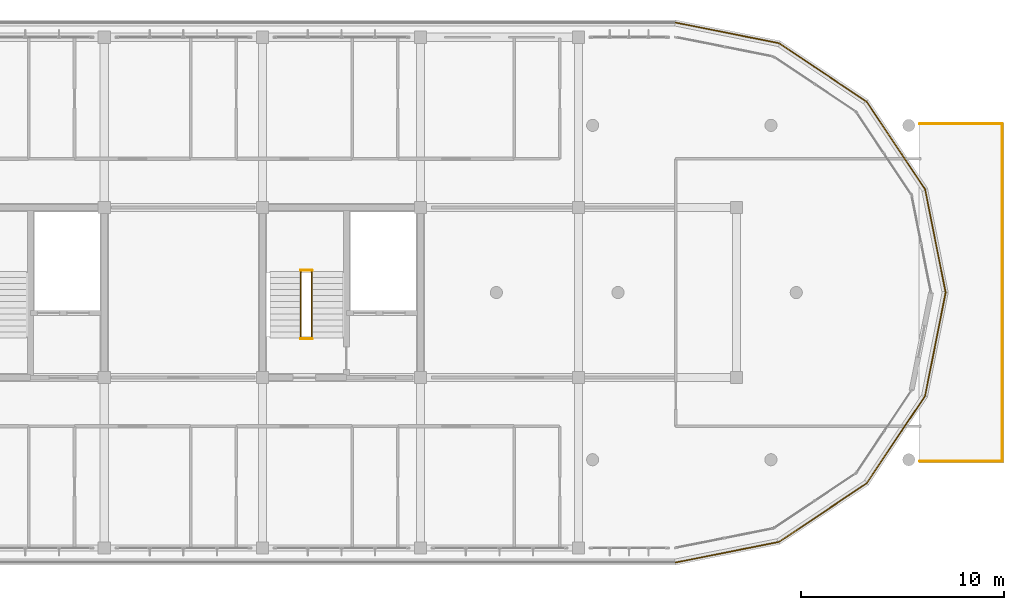
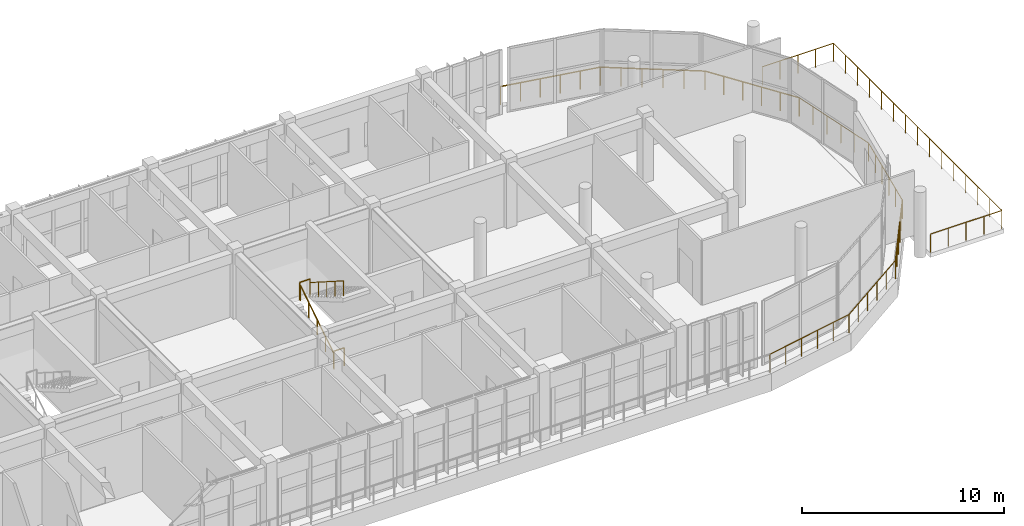
# One storey, part 56 of 56: 15 railings.
"""IFC4 building model written with IfcOpenShell, lengths in metres."""

from ifc_helpers import new_model, si_unit, direction, frame, origin, origin_2d, place, context, subcontext, project, spatial, circle, hollow_circle, extrude, material, material_profile, profile_set, type_object, element, save


model = new_model("IFC4")

# Units and contexts
model_context = context("Model", 3, precision=1e-05, world=origin(), true_north=direction((0.0, 1.0)))
body_context = subcontext(model_context, "Body", "Model", "MODEL_VIEW")
ifc_project = project(units=[si_unit("LENGTHUNIT", "METRE"), si_unit("AREAUNIT", "SQUARE_METRE"), si_unit("VOLUMEUNIT", "CUBIC_METRE"), si_unit("PLANEANGLEUNIT", "RADIAN"), si_unit("MASSUNIT", "GRAM", prefix="KILO")], contexts=[model_context])

# Site, building, storey
site_placement = place(None, origin())
site = spatial("IfcSite", under=ifc_project, at=site_placement, CompositionType="ELEMENT")
building_placement = place(site_placement, origin())
building = spatial("IfcBuilding", under=site, at=building_placement, Name="Zizhar Promenade General Hospital", CompositionType="ELEMENT")
storey_placement = place(building_placement, frame((0.0, 0.0, 26.39990234375)))
storey = spatial("IfcBuildingStorey", under=building, at=storey_placement, Name="L06", CompositionType="ELEMENT", Elevation=26.39990234375)

# Railings
ifc_material_1 = material(Name="Anodised aluminium 6063-T6", Category="aluminium")
ifc_material_profile_1 = material_profile(ifc_material_1, hollow_circle(Radius=0.06982421875, WallThickness=0.00634765625, at=origin_2d()))
ifc_profile_set_1 = profile_set([ifc_material_profile_1], Name="Anodised aluminium 6063-T6")
railing_type_1 = type_object("IfcRailingType", Name="RL-GUARD-TERR-1100", PredefinedType="GUARDRAIL", material=ifc_profile_set_1)
railing_1_placement = place(storey_placement, frame((114.0, -0.719970703125, 0.0)))
element("IfcRailing", 1, at=railing_1_placement, inside=storey, type_object=railing_type_1, Name="Perimeter Safety Guardrail L06-01", PredefinedType="GUARDRAIL", context=body_context, shape_type="SweptSolid", body=[
    extrude(circle(Radius=0.02392578125, at=origin_2d()), frame((0.0, 0.0, 1.09619140625), z_axis=(0.980786101187, 0.195086195614, 0.0), x_axis=(-0.195086195614, 0.980786101187, 0.0)), (0.0, 0.0, 1.0), 5.197265625),
    extrude(circle(Radius=0.02099609375, at=origin_2d()), origin(), (0.0, 0.0, 1.0), 1.072021484375),
    extrude(circle(Radius=0.02099609375, at=origin_2d()), frame((1.01953125, 0.202880859375, 0.0)), (0.0, 0.0, 1.0), 1.072021484375),
    extrude(circle(Radius=0.02099609375, at=origin_2d()), frame((2.0390625, 0.405517578125, 0.0)), (0.0, 0.0, 1.0), 1.072021484375),
    extrude(circle(Radius=0.02099609375, at=origin_2d()), frame((3.058349609375, 0.6083984375, 0.0)), (0.0, 0.0, 1.0), 1.072021484375),
    extrude(circle(Radius=0.02099609375, at=origin_2d()), frame((4.077880859375, 0.81103515625, 0.0)), (0.0, 0.0, 1.0), 1.072021484375),
    extrude(circle(Radius=0.02099609375, at=origin_2d()), frame((5.097412109375, 1.013916015625, 0.0)), (0.0, 0.0, 1.0), 1.072021484375),
])
railing_2_placement = place(storey_placement, frame((119.097412109375, 0.2939453125, 0.0)))
element("IfcRailing", 2, at=railing_2_placement, inside=storey, type_object=railing_type_1, Name="Perimeter Safety Guardrail L06-02", PredefinedType="GUARDRAIL", context=body_context, shape_type="SweptSolid", body=[
    extrude(circle(Radius=0.02392578125, at=origin_2d()), frame((0.0, 0.0, 1.09619140625), z_axis=(0.831464445352, 0.555577965829, 0.0), x_axis=(-0.555577965829, 0.831464445352, 0.0)), (0.0, 0.0, 1.0), 5.197265625),
    extrude(circle(Radius=0.02099609375, at=origin_2d()), origin(), (0.0, 0.0, 1.0), 1.072021484375),
    extrude(circle(Radius=0.02099609375, at=origin_2d()), frame((0.8642578125, 0.577392578125, 0.0)), (0.0, 0.0, 1.0), 1.072021484375),
    extrude(circle(Radius=0.02099609375, at=origin_2d()), frame((1.728515625, 1.155029296875, 0.0)), (0.0, 0.0, 1.0), 1.072021484375),
    extrude(circle(Radius=0.02099609375, at=origin_2d()), frame((2.5927734375, 1.732421875, 0.0)), (0.0, 0.0, 1.0), 1.072021484375),
    extrude(circle(Radius=0.02099609375, at=origin_2d()), frame((3.45703125, 2.31005859375, 0.0)), (0.0, 0.0, 1.0), 1.072021484375),
    extrude(circle(Radius=0.02099609375, at=origin_2d()), frame((4.3212890625, 2.887451171875, 0.0)), (0.0, 0.0, 1.0), 1.072021484375),
])
railing_3_placement = place(storey_placement, frame((123.418701171875, 3.181396484375, 0.0)))
element("IfcRailing", 3, at=railing_3_placement, inside=storey, type_object=railing_type_1, Name="Perimeter Safety Guardrail L06-03", PredefinedType="GUARDRAIL", context=body_context, shape_type="SweptSolid", body=[
    extrude(circle(Radius=0.02392578125, at=origin_2d()), frame((0.0, 0.0, 1.09619140625), z_axis=(0.555577965829, 0.831464445352, 0.0), x_axis=(-0.831464445352, 0.555577965829, 0.0)), (0.0, 0.0, 1.0), 5.197265625),
    extrude(circle(Radius=0.02099609375, at=origin_2d()), origin(), (0.0, 0.0, 1.0), 1.072021484375),
    extrude(circle(Radius=0.02099609375, at=origin_2d()), frame((0.577392578125, 0.8642578125, 0.0)), (0.0, 0.0, 1.0), 1.072021484375),
    extrude(circle(Radius=0.02099609375, at=origin_2d()), frame((1.155029296875, 1.728515625, 0.0)), (0.0, 0.0, 1.0), 1.072021484375),
    extrude(circle(Radius=0.02099609375, at=origin_2d()), frame((1.732421875, 2.5927734375, 0.0)), (0.0, 0.0, 1.0), 1.072021484375),
    extrude(circle(Radius=0.02099609375, at=origin_2d()), frame((2.31005859375, 3.45703125, 0.0)), (0.0, 0.0, 1.0), 1.072021484375),
    extrude(circle(Radius=0.02099609375, at=origin_2d()), frame((2.887451171875, 4.3212890625, 0.0)), (0.0, 0.0, 1.0), 1.072021484375),
])
railing_4_placement = place(storey_placement, frame((126.30615234375, 7.502685546875, 0.0)))
element("IfcRailing", 4, at=railing_4_placement, inside=storey, type_object=railing_type_1, Name="Perimeter Safety Guardrail L06-04", PredefinedType="GUARDRAIL", context=body_context, shape_type="SweptSolid", body=[
    extrude(circle(Radius=0.02392578125, at=origin_2d()), frame((0.0, 0.0, 1.09619140625), z_axis=(0.195086195614, 0.980786101187, 0.0), x_axis=(-0.980786101187, 0.195086195614, 0.0)), (0.0, 0.0, 1.0), 5.197265625),
    extrude(circle(Radius=0.02099609375, at=origin_2d()), origin(), (0.0, 0.0, 1.0), 1.072021484375),
    extrude(circle(Radius=0.02099609375, at=origin_2d()), frame((0.202880859375, 1.01953125, 0.0)), (0.0, 0.0, 1.0), 1.072021484375),
    extrude(circle(Radius=0.02099609375, at=origin_2d()), frame((0.405517578125, 2.0390625, 0.0)), (0.0, 0.0, 1.0), 1.072021484375),
    extrude(circle(Radius=0.02099609375, at=origin_2d()), frame((0.6083984375, 3.058349609375, 0.0)), (0.0, 0.0, 1.0), 1.072021484375),
    extrude(circle(Radius=0.02099609375, at=origin_2d()), frame((0.81103515625, 4.077880859375, 0.0)), (0.0, 0.0, 1.0), 1.072021484375),
    extrude(circle(Radius=0.02099609375, at=origin_2d()), frame((1.013916015625, 5.097412109375, 0.0)), (0.0, 0.0, 1.0), 1.072021484375),
])
railing_5_placement = place(storey_placement, frame((127.320068359375, 12.60009765625, 0.0)))
element("IfcRailing", 5, at=railing_5_placement, inside=storey, type_object=railing_type_1, Name="Perimeter Safety Guardrail L06-05", PredefinedType="GUARDRAIL", context=body_context, shape_type="SweptSolid", body=[
    extrude(circle(Radius=0.02392578125, at=origin_2d()), frame((0.0, 0.0, 1.09619140625), z_axis=(-0.195095184069, 0.980784313268, 0.0), x_axis=(-0.980784313268, -0.195095184069, 0.0)), (0.0, 0.0, 1.0), 5.197021484375),
    extrude(circle(Radius=0.02099609375, at=origin_2d()), origin(), (0.0, 0.0, 1.0), 1.072021484375),
    extrude(circle(Radius=0.02099609375, at=origin_2d()), frame((-0.202880859375, 1.01953125, 0.0)), (0.0, 0.0, 1.0), 1.072021484375),
    extrude(circle(Radius=0.02099609375, at=origin_2d()), frame((-0.405517578125, 2.038818359375, 0.0)), (0.0, 0.0, 1.0), 1.072021484375),
    extrude(circle(Radius=0.02099609375, at=origin_2d()), frame((-0.6083984375, 3.058349609375, 0.0)), (0.0, 0.0, 1.0), 1.072021484375),
    extrude(circle(Radius=0.02099609375, at=origin_2d()), frame((-0.81103515625, 4.07763671875, 0.0)), (0.0, 0.0, 1.0), 1.072021484375),
    extrude(circle(Radius=0.02099609375, at=origin_2d()), frame((-1.013916015625, 5.09716796875, 0.0)), (0.0, 0.0, 1.0), 1.072021484375),
])
railing_6_placement = place(storey_placement, frame((126.30615234375, 17.697265625, 0.0)))
element("IfcRailing", 6, at=railing_6_placement, inside=storey, type_object=railing_type_1, Name="Perimeter Safety Guardrail L06-06", PredefinedType="GUARDRAIL", context=body_context, shape_type="SweptSolid", body=[
    extrude(circle(Radius=0.02392578125, at=origin_2d()), frame((0.0, 0.0, 1.09619140625), z_axis=(-0.555556266519, 0.83147894425, 0.0), x_axis=(-0.83147894425, -0.555556266519, 0.0)), (0.0, 0.0, 1.0), 5.197509765625),
    extrude(circle(Radius=0.02099609375, at=origin_2d()), origin(), (0.0, 0.0, 1.0), 1.072021484375),
    extrude(circle(Radius=0.02099609375, at=origin_2d()), frame((-0.577392578125, 0.8642578125, 0.0)), (0.0, 0.0, 1.0), 1.072021484375),
    extrude(circle(Radius=0.02099609375, at=origin_2d()), frame((-1.155029296875, 1.728515625, 0.0)), (0.0, 0.0, 1.0), 1.072021484375),
    extrude(circle(Radius=0.02099609375, at=origin_2d()), frame((-1.732421875, 2.593017578125, 0.0)), (0.0, 0.0, 1.0), 1.072021484375),
    extrude(circle(Radius=0.02099609375, at=origin_2d()), frame((-2.31005859375, 3.457275390625, 0.0)), (0.0, 0.0, 1.0), 1.072021484375),
    extrude(circle(Radius=0.02099609375, at=origin_2d()), frame((-2.887451171875, 4.321533203125, 0.0)), (0.0, 0.0, 1.0), 1.072021484375),
])
railing_7_placement = place(storey_placement, frame((123.418701171875, 22.018798828125, 0.0)))
element("IfcRailing", 7, at=railing_7_placement, inside=storey, type_object=railing_type_1, Name="Perimeter Safety Guardrail L06-07", PredefinedType="GUARDRAIL", context=body_context, shape_type="SweptSolid", body=[
    extrude(circle(Radius=0.02392578125, at=origin_2d()), frame((0.0, 0.0, 1.09619140625), z_axis=(-0.831486145253, 0.555545488913, 0.0), x_axis=(-0.555545488913, -0.831486145253, 0.0)), (0.0, 0.0, 1.0), 5.197021484375),
    extrude(circle(Radius=0.02099609375, at=origin_2d()), origin(), (0.0, 0.0, 1.0), 1.072021484375),
    extrude(circle(Radius=0.02099609375, at=origin_2d()), frame((-0.8642578125, 0.577392578125, 0.0)), (0.0, 0.0, 1.0), 1.072021484375),
    extrude(circle(Radius=0.02099609375, at=origin_2d()), frame((-1.728515625, 1.15478515625, 0.0)), (0.0, 0.0, 1.0), 1.072021484375),
    extrude(circle(Radius=0.02099609375, at=origin_2d()), frame((-2.5927734375, 1.732421875, 0.0)), (0.0, 0.0, 1.0), 1.072021484375),
    extrude(circle(Radius=0.02099609375, at=origin_2d()), frame((-3.45703125, 2.309814453125, 0.0)), (0.0, 0.0, 1.0), 1.072021484375),
    extrude(circle(Radius=0.02099609375, at=origin_2d()), frame((-4.3212890625, 2.88720703125, 0.0)), (0.0, 0.0, 1.0), 1.072021484375),
])
railing_8_placement = place(storey_placement, frame((119.097412109375, 24.906005859375, 0.0)))
element("IfcRailing", 8, at=railing_8_placement, inside=storey, type_object=railing_type_1, Name="Perimeter Safety Guardrail L06-08", PredefinedType="GUARDRAIL", context=body_context, shape_type="SweptSolid", body=[
    extrude(circle(Radius=0.02392578125, at=origin_2d()), frame((0.0, 0.0, 1.09619140625), z_axis=(-0.980786101187, 0.195086195614, 0.0), x_axis=(-0.195086195614, -0.980786101187, 0.0)), (0.0, 0.0, 1.0), 5.197265625),
    extrude(circle(Radius=0.02099609375, at=origin_2d()), origin(), (0.0, 0.0, 1.0), 1.072021484375),
    extrude(circle(Radius=0.02099609375, at=origin_2d()), frame((-1.01953125, 0.202880859375, 0.0)), (0.0, 0.0, 1.0), 1.072021484375),
    extrude(circle(Radius=0.02099609375, at=origin_2d()), frame((-2.0390625, 0.405517578125, 0.0)), (0.0, 0.0, 1.0), 1.072021484375),
    extrude(circle(Radius=0.02099609375, at=origin_2d()), frame((-3.058349609375, 0.6083984375, 0.0)), (0.0, 0.0, 1.0), 1.072021484375),
    extrude(circle(Radius=0.02099609375, at=origin_2d()), frame((-4.077880859375, 0.81103515625, 0.0)), (0.0, 0.0, 1.0), 1.072021484375),
    extrude(circle(Radius=0.02099609375, at=origin_2d()), frame((-5.097412109375, 1.013916015625, 0.0)), (0.0, 0.0, 1.0), 1.072021484375),
])
railing_9_placement = place(storey_placement, frame((126.050048828125, 4.280029296875, 0.0)))
element("IfcRailing", 9, at=railing_9_placement, inside=storey, type_object=railing_type_1, Name="Perimeter Safety Guardrail L06-01", PredefinedType="GUARDRAIL", context=body_context, shape_type="SweptSolid", body=[
    extrude(circle(Radius=0.02392578125, at=origin_2d()), frame((0.0, 0.0, 1.09619140625), z_axis=(1.0, 0.0, 0.0), x_axis=(0.0, 1.0, 0.0)), (0.0, 0.0, 1.0), 4.070068359375),
    extrude(circle(Radius=0.02099609375, at=origin_2d()), origin(), (0.0, 0.0, 1.0), 1.072021484375),
    extrude(circle(Radius=0.02099609375, at=origin_2d()), frame((1.017578125, 0.0, 0.0)), (0.0, 0.0, 1.0), 1.072021484375),
    extrude(circle(Radius=0.02099609375, at=origin_2d()), frame((2.03515625, 0.0, 0.0)), (0.0, 0.0, 1.0), 1.072021484375),
    extrude(circle(Radius=0.02099609375, at=origin_2d()), frame((3.052490234375, 0.0, 0.0)), (0.0, 0.0, 1.0), 1.072021484375),
    extrude(circle(Radius=0.02099609375, at=origin_2d()), frame((4.070068359375, 0.0, 0.0)), (0.0, 0.0, 1.0), 1.072021484375),
])
railing_10_placement = place(storey_placement, frame((130.1201171875, 4.280029296875, 0.0)))
element("IfcRailing", 10, at=railing_10_placement, inside=storey, type_object=railing_type_1, Name="Perimeter Safety Guardrail L06-02", PredefinedType="GUARDRAIL", context=body_context, shape_type="SweptSolid", body=[
    extrude(circle(Radius=0.02392578125, at=origin_2d()), frame((0.0, 0.0, 1.09619140625), z_axis=(0.0, 1.0, 0.0), x_axis=(-1.0, 0.0, 0.0)), (0.0, 0.0, 1.0), 16.639892578125),
    extrude(circle(Radius=0.02099609375, at=origin_2d()), origin(), (0.0, 0.0, 1.0), 1.072021484375),
    extrude(circle(Radius=0.02099609375, at=origin_2d()), frame((0.0, 1.1884765625, 0.0)), (0.0, 0.0, 1.0), 1.072021484375),
    extrude(circle(Radius=0.02099609375, at=origin_2d()), frame((0.0, 2.377197265625, 0.0)), (0.0, 0.0, 1.0), 1.072021484375),
    extrude(circle(Radius=0.02099609375, at=origin_2d()), frame((0.0, 3.565673828125, 0.0)), (0.0, 0.0, 1.0), 1.072021484375),
    extrude(circle(Radius=0.02099609375, at=origin_2d()), frame((0.0, 4.754150390625, 0.0)), (0.0, 0.0, 1.0), 1.072021484375),
    extrude(circle(Radius=0.02099609375, at=origin_2d()), frame((0.0, 5.94287109375, 0.0)), (0.0, 0.0, 1.0), 1.072021484375),
    extrude(circle(Radius=0.02099609375, at=origin_2d()), frame((0.0, 7.13134765625, 0.0)), (0.0, 0.0, 1.0), 1.072021484375),
    extrude(circle(Radius=0.02099609375, at=origin_2d()), frame((0.0, 8.31982421875, 0.0)), (0.0, 0.0, 1.0), 1.072021484375),
    extrude(circle(Radius=0.02099609375, at=origin_2d()), frame((0.0, 9.508544921875, 0.0)), (0.0, 0.0, 1.0), 1.072021484375),
    extrude(circle(Radius=0.02099609375, at=origin_2d()), frame((0.0, 10.697021484375, 0.0)), (0.0, 0.0, 1.0), 1.072021484375),
    extrude(circle(Radius=0.02099609375, at=origin_2d()), frame((0.0, 11.8857421875, 0.0)), (0.0, 0.0, 1.0), 1.072021484375),
    extrude(circle(Radius=0.02099609375, at=origin_2d()), frame((0.0, 13.07421875, 0.0)), (0.0, 0.0, 1.0), 1.072021484375),
    extrude(circle(Radius=0.02099609375, at=origin_2d()), frame((0.0, 14.2626953125, 0.0)), (0.0, 0.0, 1.0), 1.072021484375),
    extrude(circle(Radius=0.02099609375, at=origin_2d()), frame((0.0, 15.451416015625, 0.0)), (0.0, 0.0, 1.0), 1.072021484375),
    extrude(circle(Radius=0.02099609375, at=origin_2d()), frame((0.0, 16.639892578125, 0.0)), (0.0, 0.0, 1.0), 1.072021484375),
])
railing_11_placement = place(storey_placement, frame((130.1201171875, 20.919921875, 0.0)))
element("IfcRailing", 11, at=railing_11_placement, inside=storey, type_object=railing_type_1, Name="Perimeter Safety Guardrail L06-03", PredefinedType="GUARDRAIL", context=body_context, shape_type="SweptSolid", body=[
    extrude(circle(Radius=0.02392578125, at=origin_2d()), frame((0.0, 0.0, 1.09619140625), z_axis=(-1.0, 0.0, 0.0), x_axis=(0.0, -1.0, 0.0)), (0.0, 0.0, 1.0), 4.070068359375),
    extrude(circle(Radius=0.02099609375, at=origin_2d()), origin(), (0.0, 0.0, 1.0), 1.072021484375),
    extrude(circle(Radius=0.02099609375, at=origin_2d()), frame((-1.017578125, 0.0, 0.0)), (0.0, 0.0, 1.0), 1.072021484375),
    extrude(circle(Radius=0.02099609375, at=origin_2d()), frame((-2.03515625, 0.0, 0.0)), (0.0, 0.0, 1.0), 1.072021484375),
    extrude(circle(Radius=0.02099609375, at=origin_2d()), frame((-3.052490234375, 0.0, 0.0)), (0.0, 0.0, 1.0), 1.072021484375),
    extrude(circle(Radius=0.02099609375, at=origin_2d()), frame((-4.070068359375, 0.0, 0.0)), (0.0, 0.0, 1.0), 1.072021484375),
])
ifc_material_2 = material(Name="Anodised aluminium 6063-T6", Category="aluminium")
ifc_material_profile_2 = material_profile(ifc_material_2, hollow_circle(Radius=0.06982421875, WallThickness=0.00634765625, at=origin_2d()))
ifc_profile_set_2 = profile_set([ifc_material_profile_2], Name="Anodised aluminium 6063-T6")
railing_type_2 = type_object("IfcRailingType", Name="RL-HANDRAIL-920", PredefinedType="HANDRAIL", material=ifc_profile_set_2)
railing_12_placement = place(storey_placement, frame((95.5, 10.35009765625, 0.0)))
element("IfcRailing", 12, at=railing_12_placement, inside=storey, type_object=railing_type_2, Name="Stair ST-05 Flight 1 Handrail (L06)", PredefinedType="HANDRAIL", context=body_context, shape_type="SweptSolid", body=[
    extrude(circle(Radius=0.02392578125, at=origin_2d()), frame((0.0, 0.0, 0.89599609375), z_axis=(0.0, 0.843635785416, 0.536915879413), x_axis=(-1.0, 0.0, 0.0)), (0.0, 0.0, 1.0), 3.911376953125),
    extrude(circle(Radius=0.02099609375, at=origin_2d()), origin(), (0.0, 0.0, 1.0), 0.871826171875),
    extrude(circle(Radius=0.02099609375, at=origin_2d()), frame((0.0, 0.824951171875, 0.52490234375)), (0.0, 0.0, 1.0), 0.871826171875),
    extrude(circle(Radius=0.02099609375, at=origin_2d()), frame((0.0, 1.64990234375, 1.050048828125)), (0.0, 0.0, 1.0), 0.871826171875),
    extrude(circle(Radius=0.02099609375, at=origin_2d()), frame((0.0, 2.474853515625, 1.5751953125)), (0.0, 0.0, 1.0), 0.871826171875),
    extrude(circle(Radius=0.02099609375, at=origin_2d()), frame((0.0, 3.2998046875, 2.10009765625)), (0.0, 0.0, 1.0), 0.871826171875),
])
railing_13_placement = place(storey_placement, frame((96.0400390625, 13.64990234375, 2.10009765625)))
element("IfcRailing", 13, at=railing_13_placement, inside=storey, type_object=railing_type_2, Name="Stair ST-05 Flight 2 Handrail (L06)", PredefinedType="HANDRAIL", context=body_context, shape_type="SweptSolid", body=[
    extrude(circle(Radius=0.02392578125, at=origin_2d()), frame((0.0, 0.0, 0.89599609375), z_axis=(0.0, -0.843635785416, 0.536915879413), x_axis=(1.0, 0.0, 0.0)), (0.0, 0.0, 1.0), 3.911376953125),
    extrude(circle(Radius=0.02099609375, at=origin_2d()), origin(), (0.0, 0.0, 1.0), 0.871826171875),
    extrude(circle(Radius=0.02099609375, at=origin_2d()), frame((0.0, -0.824951171875, 0.52490234375)), (0.0, 0.0, 1.0), 0.871826171875),
    extrude(circle(Radius=0.02099609375, at=origin_2d()), frame((0.0, -1.64990234375, 1.050048828125)), (0.0, 0.0, 1.0), 0.871826171875),
    extrude(circle(Radius=0.02099609375, at=origin_2d()), frame((0.0, -2.474853515625, 1.5751953125)), (0.0, 0.0, 1.0), 0.871826171875),
    extrude(circle(Radius=0.02099609375, at=origin_2d()), frame((0.0, -3.2998046875, 2.10009765625)), (0.0, 0.0, 1.0), 0.871826171875),
])
ifc_material_3 = material(Name="Steel S355", Category="steel")
ifc_material_profile_3 = material_profile(ifc_material_3, hollow_circle(Radius=0.06982421875, WallThickness=0.00634765625, at=origin_2d()))
ifc_profile_set_3 = profile_set([ifc_material_profile_3], Name="Steel S355")
railing_type_3 = type_object("IfcRailingType", Name="RL-STAIR-GUARD-1100", PredefinedType="GUARDRAIL", material=ifc_profile_set_3)
for number, where, name in (
    (14, (95.47998046875, 13.68994140625, 2.10009765625), "Stair ST-05 Half-Landing Guard (L06)"),
    (15, (95.47998046875, 10.31005859375, 0.0), "Stair ST-05 Landing Well Guard (L06)"),
):
    element("IfcRailing", number, at=place(storey_placement, frame(where)), inside=storey, type_object=railing_type_3, Name=name, PredefinedType="GUARDRAIL", context=body_context, shape_type="SweptSolid", body=[
        extrude(circle(Radius=0.02392578125, at=origin_2d()), frame((0.0, 0.0, 1.076171875), z_axis=(1.0, 0.0, 0.0), x_axis=(0.0, 1.0, 0.0)), (0.0, 0.0, 1.0), 0.580078125),
        extrude(circle(Radius=0.02099609375, at=origin_2d()), origin(), (0.0, 0.0, 1.0), 1.052001953125),
        extrude(circle(Radius=0.02099609375, at=origin_2d()), frame((0.580078125, 0.0, 0.0)), (0.0, 0.0, 1.0), 1.052001953125),
    ])

save(model, "model.ifc")
